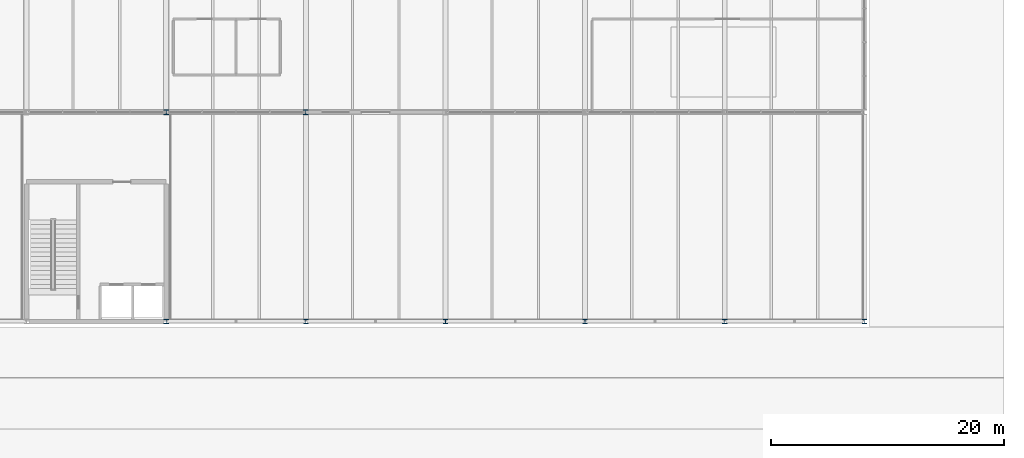
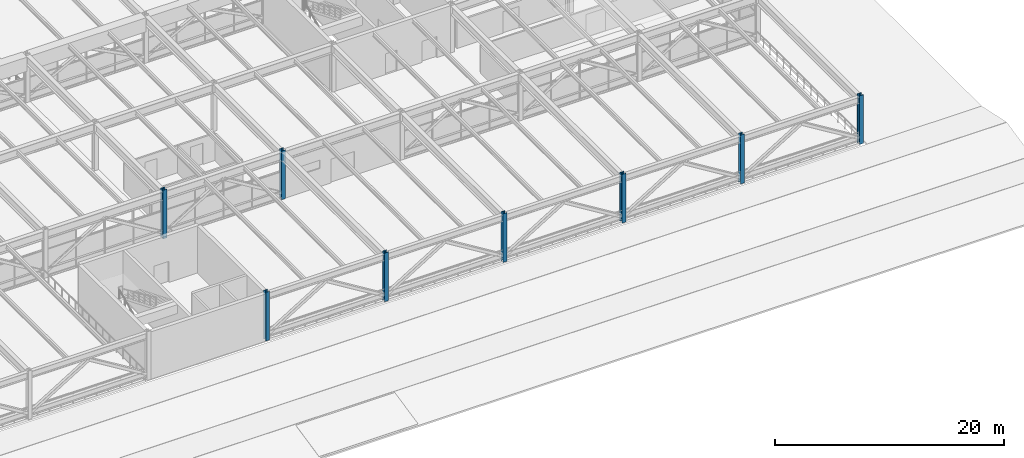
# One storey, part 2 of 42: 8 columns.
"""IFC4 building model written with IfcOpenShell, lengths in metres."""

from ifc_helpers import new_model, si_unit, direction, frame, origin, origin_2d, place, context, subcontext, project, spatial, i_section, extrude, material, material_profile, profile_set, type_object, element, save


model = new_model("IFC4")

# Units and contexts
model_context = context("Model", 3, precision=1e-05, world=origin(), true_north=direction((0.0, 1.0)))
body_context = subcontext(model_context, "Body", "Model", "MODEL_VIEW")
ifc_project = project(units=[si_unit("LENGTHUNIT", "METRE"), si_unit("AREAUNIT", "SQUARE_METRE"), si_unit("VOLUMEUNIT", "CUBIC_METRE"), si_unit("PLANEANGLEUNIT", "RADIAN"), si_unit("MASSUNIT", "GRAM", prefix="KILO")], contexts=[model_context])

# Site, building, storey
site_placement = place(None, origin())
site = spatial("IfcSite", under=ifc_project, at=site_placement, CompositionType="ELEMENT")
building_placement = place(site_placement, origin())
building = spatial("IfcBuilding", under=site, at=building_placement, Name="Girod Span Mobility Hub", CompositionType="ELEMENT")
storey_placement = place(building_placement, frame((0.0, 0.0, 32.39990234375)))
storey = spatial("IfcBuildingStorey", under=building, at=storey_placement, Name="L08", CompositionType="ELEMENT", Elevation=32.39990234375)

# Columns
ifc_material_1 = material(Name="Steel A992 Grade 50", Category="steel")
ifc_material_profile_1 = material_profile(ifc_material_1, i_section(OverallWidth=0.39892578125, OverallDepth=0.39306640625, WebThickness=0.022705078125, FlangeThickness=0.03662109375, FilletRadius=0.01806640625, at=origin_2d()), Name="W14X193")
ifc_profile_set_1 = profile_set([ifc_material_profile_1], Name="Steel A992 Grade 50")
column_type_1 = type_object("IfcColumnType", Name="COL-STL-W14X193", PredefinedType="COLUMN", material=ifc_profile_set_1)
for number, where, z_axis, x_axis, name in (
    (1, (84.0, 27.0, 0.0), (0.0, 0.0, 1.0), (1.0, 0.0, 0.0), "Column 8C L08"),
    (2, (96.0, 27.0, 0.0), (0.0, 0.0, 1.0), (1.0, 0.0, 0.0), "Column 9C L08"),
    (3, (108.0, 27.0, 0.0), (0.0, 0.0, 1.0), (1.0, 0.0, 0.0), "Column 10C L08"),
    (4, (120.0, 27.0, 0.0), (0.0, 0.0, 1.0), (1.0, 0.0, 0.0), "Column 11C L08"),
    (5, (132.0, 27.0, 0.0), (0.0, 0.0, 1.0), (1.0, 0.0, 0.0), "Column 12C L08"),
    (6, (144.0, 27.0, 0.0), (0.0, 0.0, 1.0), (1.0, 0.0, 0.0), "Column 13C L08"),
):
    element("IfcColumn", number, at=place(storey_placement, frame(where, z_axis=z_axis, x_axis=x_axis)), inside=storey, type_object=column_type_1, Name=name, PredefinedType="COLUMN", context=body_context, shape_type="SweptSolid", body=[
        extrude(i_section(OverallWidth=0.39892578125, OverallDepth=0.39306640625, WebThickness=0.022705078125, FlangeThickness=0.03662109375, FilletRadius=0.01806640625, at=origin_2d()), origin(), (0.0, 0.0, 1.0), 5.2001953125),
    ])
ifc_material_2 = material(Name="Steel A992 Grade 50", Category="steel")
ifc_material_profile_2 = material_profile(ifc_material_2, i_section(OverallWidth=0.406005859375, OverallDepth=0.416015625, WebThickness=0.02978515625, FlangeThickness=0.048095703125, FilletRadius=0.01806640625, at=origin_2d()), Name="W14X257")
ifc_profile_set_2 = profile_set([ifc_material_profile_2], Name="Steel A992 Grade 50")
column_type_2 = type_object("IfcColumnType", Name="COL-STL-W14X257", PredefinedType="COLUMN", material=ifc_profile_set_2)
for number, where, z_axis, x_axis, name in (
    (7, (84.0, 45.0, 0.0), (0.0, 0.0, 1.0), (1.0, 0.0, 0.0), "Column 8D L08"),
    (8, (96.0, 45.0, 0.0), (0.0, 0.0, 1.0), (1.0, 0.0, 0.0), "Column 9D L08"),
):
    element("IfcColumn", number, at=place(storey_placement, frame(where, z_axis=z_axis, x_axis=x_axis)), inside=storey, type_object=column_type_2, Name=name, PredefinedType="COLUMN", context=body_context, shape_type="SweptSolid", body=[
        extrude(i_section(OverallWidth=0.406005859375, OverallDepth=0.416015625, WebThickness=0.02978515625, FlangeThickness=0.048095703125, FilletRadius=0.01806640625, at=origin_2d()), origin(), (0.0, 0.0, 1.0), 5.2001953125),
    ])

save(model, "model.ifc")
